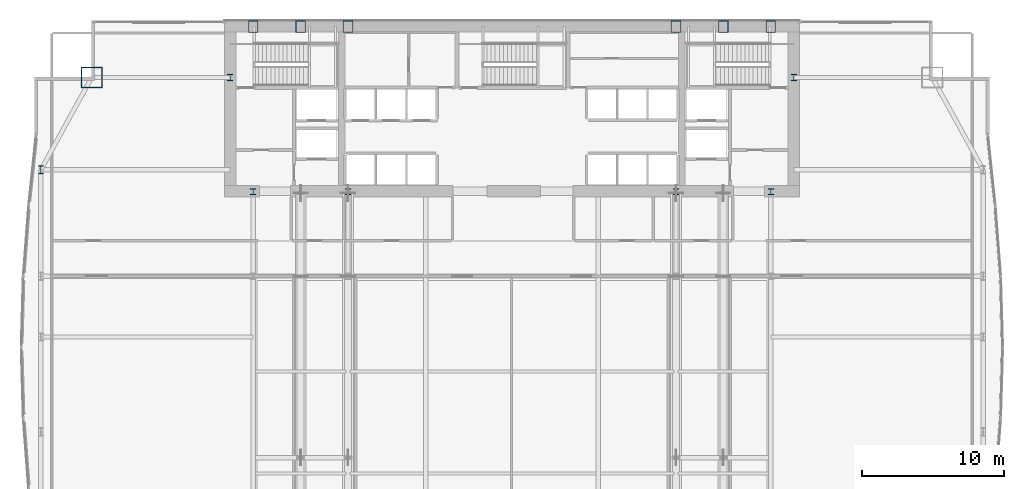
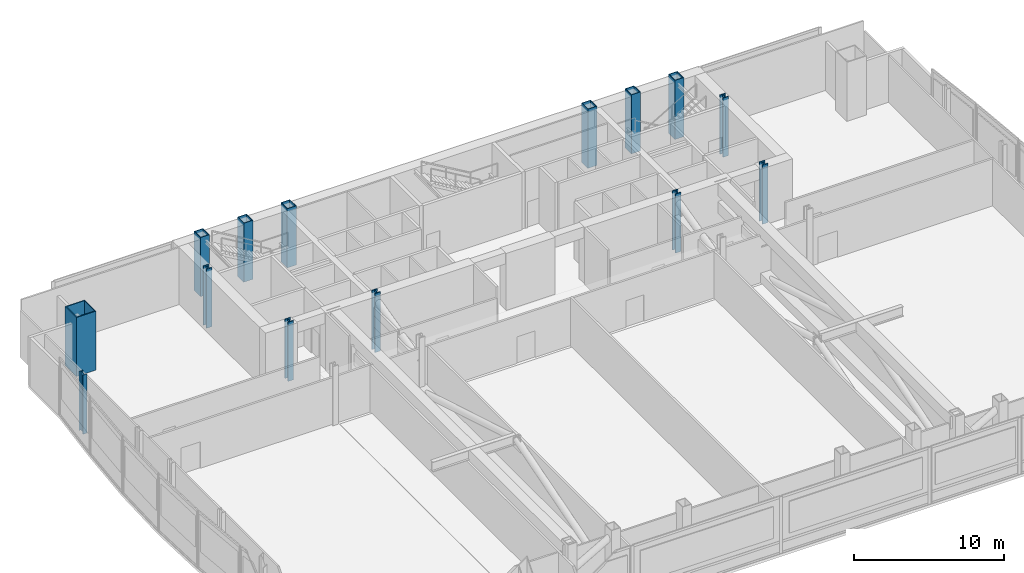
# One storey, part 3 of 32: 14 columns.
"""IFC4 building model written with IfcOpenShell, lengths in metres."""

from ifc_helpers import new_model, si_unit, direction, frame, origin, origin_2d, place, context, subcontext, project, spatial, hollow_rectangle, i_section, extrude, material, material_profile, profile_set, type_object, element, save


model = new_model("IFC4")

# Units and contexts
model_context = context("Model", 3, precision=1e-05, world=origin(), true_north=direction((0.0, 1.0)))
body_context = subcontext(model_context, "Body", "Model", "MODEL_VIEW")
ifc_project = project(units=[si_unit("LENGTHUNIT", "METRE"), si_unit("AREAUNIT", "SQUARE_METRE"), si_unit("VOLUMEUNIT", "CUBIC_METRE"), si_unit("PLANEANGLEUNIT", "RADIAN"), si_unit("MASSUNIT", "GRAM", prefix="KILO")], contexts=[model_context])

# Site, building, storey
site_placement = place(None, origin())
site = spatial("IfcSite", under=ifc_project, at=site_placement, CompositionType="ELEMENT")
building_placement = place(site_placement, origin())
building = spatial("IfcBuilding", under=site, at=building_placement, Name="Khoronbel Lancet Exchange", CompositionType="ELEMENT")
storey_placement = place(building_placement, frame((0.0, 0.0, 85.800048828125)))
storey = spatial("IfcBuildingStorey", under=building, at=storey_placement, Name="L20", CompositionType="ELEMENT", Elevation=85.800048828125)

# Columns
ifc_material_1 = material(Name="Steel S460", Category="steel")
ifc_material_profile_1 = material_profile(ifc_material_1, hollow_rectangle(XDim=0.699951171875, YDim=0.85009765625, WallThickness=0.050048828125, at=origin_2d()), Name="BOX 850x700x50")
ifc_profile_set_1 = profile_set([ifc_material_profile_1], Name="Steel S460")
column_type_1 = type_object("IfcColumnType", Name="COL-EC2", PredefinedType="COLUMN", material=ifc_profile_set_1)
for number, where, z_axis, x_axis, name in (
    (1, (18.22509765625, 53.280029296875, 0.0), (0.0, 0.0, 1.0), (1.0, 0.0, 0.0), "Structural column NC-W1 L20"),
    (2, (21.5625, 53.280029296875, 0.0), (0.0, 0.0, 1.0), (1.0, 0.0, 0.0), "Structural column NC-WM L20"),
    (3, (24.89990234375, 53.280029296875, 0.0), (0.0, 0.0, 1.0), (1.0, 0.0, 0.0), "Structural column NC-W2 L20"),
    (4, (48.0, 53.280029296875, 0.0), (0.0, 0.0, 1.0), (1.0, 0.0, 0.0), "Structural column NC-E1 L20"),
    (5, (51.33740234375, 53.280029296875, 0.0), (0.0, 0.0, 1.0), (1.0, 0.0, 0.0), "Structural column NC-EM L20"),
    (6, (54.675048828125, 53.280029296875, 0.0), (0.0, 0.0, 1.0), (1.0, 0.0, 0.0), "Structural column NC-E2 L20"),
):
    element("IfcColumn", number, at=place(storey_placement, frame(where, z_axis=z_axis, x_axis=x_axis)), inside=storey, type_object=column_type_1, Name=name, PredefinedType="COLUMN", context=body_context, shape_type="SweptSolid", body=[
        extrude(hollow_rectangle(XDim=0.699951171875, YDim=0.85009765625, WallThickness=0.050048828125, at=origin_2d()), origin(), (0.0, 0.0, 1.0), 4.800048828125),
    ])
ifc_material_profile_2 = material_profile(ifc_material_1, i_section(OverallWidth=0.424072265625, OverallDepth=0.47412109375, WebThickness=0.047607421875, FlangeThickness=0.076904296875, at=origin_2d()), Name="HD 400x634")
ifc_profile_set_2 = profile_set([ifc_material_profile_2], Name="Steel S460")
column_type_2 = type_object("IfcColumnType", Name="COL-IC1", PredefinedType="COLUMN", material=ifc_profile_set_2)
for number, where, z_axis, x_axis, name in (
    (7, (16.60009765625, 49.699951171875, 0.0), (0.0, 0.0, 1.0), (1.0, 0.0, 0.0), "Core-flank plumb transfer column CFW L20"),
    (8, (56.300048828125, 49.699951171875, 0.0), (0.0, 0.0, 1.0), (1.0, 0.0, 0.0), "Core-flank plumb transfer column CFE L20"),
    (9, (18.22509765625, 41.64990234375, 0.0), (0.0, 0.0, 1.0), (1.0, 0.0, 0.0), "Core-embedded steel column CTC1 L20"),
    (10, (24.89990234375, 41.64990234375, 0.0), (0.0, 0.0, 1.0), (1.0, 0.0, 0.0), "Core-embedded steel column CTC2 L20"),
    (11, (48.0, 41.64990234375, 0.0), (0.0, 0.0, 1.0), (1.0, 0.0, 0.0), "Core-embedded steel column CTC3 L20"),
    (12, (54.675048828125, 41.64990234375, 0.0), (0.0, 0.0, 1.0), (1.0, 0.0, 0.0), "Core-embedded steel column CTC4 L20"),
):
    element("IfcColumn", number, at=place(storey_placement, frame(where, z_axis=z_axis, x_axis=x_axis)), inside=storey, type_object=column_type_2, Name=name, PredefinedType="COLUMN", context=body_context, shape_type="SweptSolid", body=[
        extrude(i_section(OverallWidth=0.424072265625, OverallDepth=0.47412109375, WebThickness=0.047607421875, FlangeThickness=0.076904296875, at=origin_2d()), origin(), (0.0, 0.0, 1.0), 4.800048828125),
    ])
ifc_material_2 = material(Name="Steel S355", Category="steel")
ifc_material_profile_3 = material_profile(ifc_material_2, i_section(OverallWidth=0.300048828125, OverallDepth=0.550048828125, WebThickness=0.014892578125, FlangeThickness=0.029052734375, at=origin_2d()), Name="HEB 550")
ifc_profile_set_3 = profile_set([ifc_material_profile_3], Name="Steel S355")
column_type_3 = type_object("IfcColumnType", Name="COL-LC1", PredefinedType="COLUMN", material=ifc_profile_set_3)
column_1_placement = place(storey_placement, frame((3.27001953125, 43.199951171875, 0.0), z_axis=(0.0, 0.0, 1.0), x_axis=(1.0, 0.0, 0.0)))
element("IfcColumn", 13, at=column_1_placement, inside=storey, type_object=column_type_3, Name="Structural column WC-4 L20", PredefinedType="COLUMN", context=body_context, shape_type="SweptSolid", body=[
    extrude(i_section(OverallWidth=0.300048828125, OverallDepth=0.550048828125, WebThickness=0.014892578125, FlangeThickness=0.029052734375, at=origin_2d()), origin(), (0.0, 0.0, 1.0), 4.800048828125),
])
ifc_material_profile_4 = material_profile(ifc_material_1, hollow_rectangle(XDim=1.5, YDim=1.5, WallThickness=0.070068359375, at=origin_2d()), Name="BOX 1500x1500x70")
ifc_profile_set_4 = profile_set([ifc_material_profile_4], Name="Steel S460")
column_type_4 = type_object("IfcColumnType", Name="COL-MC3", PredefinedType="COLUMN", material=ifc_profile_set_4)
column_2_placement = place(storey_placement, frame((6.85009765625, 49.699951171875, 0.0), z_axis=(0.0, 0.0, 1.0), x_axis=(1.0, 0.0, 0.0)))
element("IfcColumn", 14, at=column_2_placement, inside=storey, type_object=column_type_4, Name="Structural column MC-NW L20", PredefinedType="COLUMN", context=body_context, shape_type="SweptSolid", body=[
    extrude(hollow_rectangle(XDim=1.5, YDim=1.5, WallThickness=0.070068359375, at=origin_2d()), origin(), (0.0, 0.0, 1.0), 4.800048828125),
])

save(model, "model.ifc")
